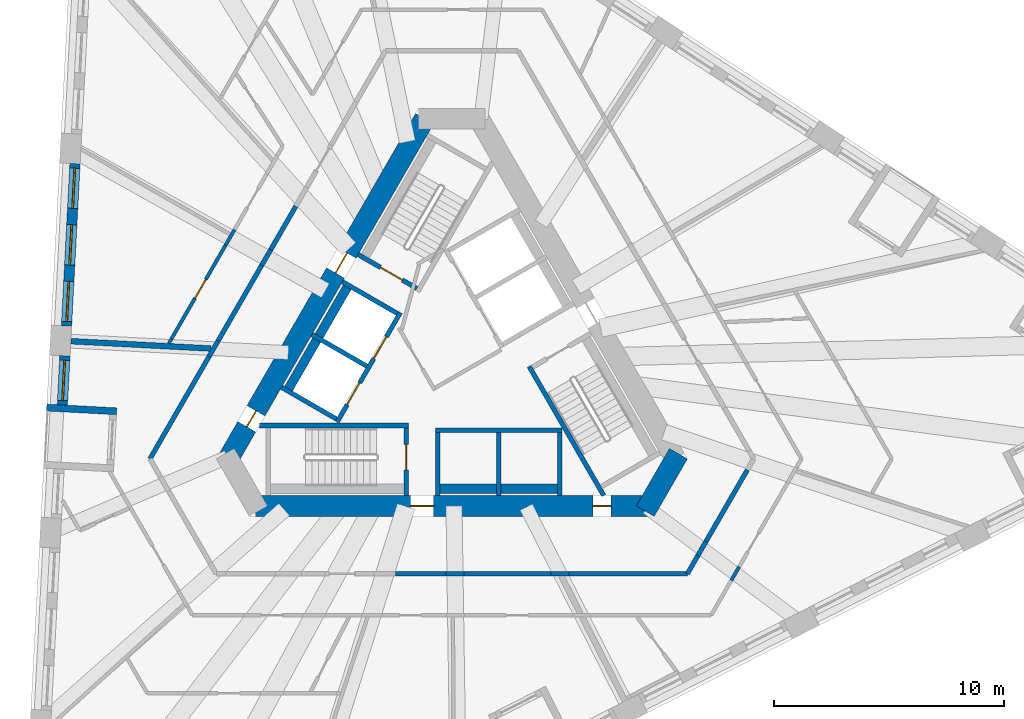
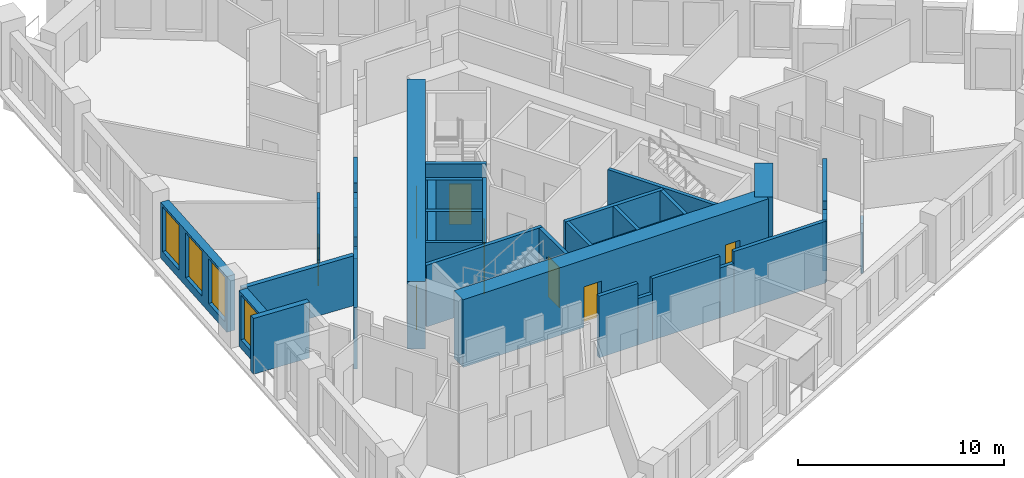
# One storey, part 4 of 12: 38 walls, 9 doors, 4 windows, 13 openings.
"""IFC4 building model written with IfcOpenShell, lengths in metres."""

from ifc_helpers import new_model, si_unit, direction, frame, frame_2d, origin, place, context, subcontext, project, spatial, rectangle, extrude, material, layer, layer_set, type_object, element, fill, save


model = new_model("IFC4")

# Units and contexts
model_context = context("Model", 3, precision=1e-05, world=origin(), true_north=direction((0.0, 1.0)))
body_context = subcontext(model_context, "Body", "Model", "MODEL_VIEW")
ifc_project = project(units=[si_unit("LENGTHUNIT", "METRE"), si_unit("AREAUNIT", "SQUARE_METRE"), si_unit("VOLUMEUNIT", "CUBIC_METRE"), si_unit("PLANEANGLEUNIT", "RADIAN"), si_unit("MASSUNIT", "GRAM", prefix="KILO")], contexts=[model_context])

# Site, building, storey
site_placement = place(None, origin())
site = spatial("IfcSite", under=ifc_project, at=site_placement, CompositionType="ELEMENT")
building_placement = place(site_placement, origin())
building = spatial("IfcBuilding", under=site, at=building_placement, Name="Tramontana Tower", CompositionType="ELEMENT")
storey_placement = place(building_placement, frame((0.0, 0.0, 129.60009765625)))
storey = spatial("IfcBuildingStorey", under=building, at=storey_placement, Name="L29", CompositionType="ELEMENT", Elevation=129.60009765625)

# Wall, openings, doors
ifc_material_1 = material(Name="Concrete 70 MPa", Category="concrete")
ifc_layer_1 = layer(ifc_material_1, 0.89990234375)
ifc_layer_set_1 = layer_set([ifc_layer_1], Name="Core wall 900 70 MPa")
wall_type_1 = type_object("IfcWallType", Name="Core wall 900 70 MPa", PredefinedType="SHEAR", material=ifc_layer_set_1)
wall_1_placement = place(storey_placement, frame((-1.18359375, 10.550048828125, 0.0), z_axis=(0.0, 0.0, 1.0), x_axis=(-0.500004814304, -0.866022624227, 0.0)))
wall_1 = element("IfcWall", 1, at=wall_1_placement, inside=storey, type_object=wall_type_1, Name="Core wall C1 L29", PredefinedType="SHEAR", context=body_context, shape_type="SweptSolid", body=[
    extrude(rectangle(XDim=17.089599609375, YDim=0.89990234375, at=frame_2d((8.544921875, 0.0))), origin(), (0.0, 0.0, 1.0), 4.0),
])
opening_1_placement = place(wall_1_placement, frame((6.749755859375, 0.0, 0.0)))
opening_1 = element("IfcOpeningElement", 2, at=opening_1_placement, cuts=wall_1, Name="Opening RG1", PredefinedType="OPENING", context=body_context, shape_type="SweptSolid", body=[
    extrude(rectangle(XDim=1.0, YDim=2.39990234375, at=frame_2d((0.5, 1.199951171875))), frame((0.0, 0.4599609375, 0.0), z_axis=(0.0, -1.0, 0.0), x_axis=(1.0, 0.0, 0.0)), (0.0, 0.0, 1.0), 0.919921875),
])
opening_2_placement = place(wall_1_placement, frame((14.678466796875, 0.0, 0.0)))
opening_2 = element("IfcOpeningElement", 3, at=opening_2_placement, cuts=wall_1, Name="Opening PD1", PredefinedType="OPENING", context=body_context, shape_type="SweptSolid", body=[
    extrude(rectangle(XDim=0.800048828125, YDim=2.10009765625, at=frame_2d((0.39990234375, 1.050048828125))), frame((0.0, 0.4599609375, 0.0), z_axis=(0.0, -1.0, 0.0), x_axis=(1.0, 0.0, 0.0)), (0.0, 0.0, 1.0), 0.919921875),
])
ifc_material_2 = material(Name="Painted steel", Category="steel")
door_type_1 = type_object("IfcDoorType", Name="CUPBOARD DOOR 800", OperationType="SINGLE_SWING_LEFT", PredefinedType="DOOR", material=ifc_material_2)
door_1_placement = place(opening_2_placement, origin())
door_1 = element("IfcDoor", 4, at=door_1_placement, inside=storey, type_object=door_type_1, Name="Door PD1", OperationType="SINGLE_SWING_LEFT", OverallHeight=2.10009765625, OverallWidth=0.800048828125, PredefinedType="DOOR", context=body_context, shape_type="SweptSolid", body=[
    extrude(rectangle(XDim=0.800048828125, YDim=2.10009765625, at=frame_2d((0.39990234375, 1.050048828125))), frame((0.0, 0.02490234375, 0.0), z_axis=(0.0, -1.0, 0.0), x_axis=(1.0, 0.0, 0.0)), (0.0, 0.0, 1.0), 0.050048828125),
])
fill(opening_2, door_1)
ifc_material_3 = material(Name="Painted steel", Category="steel")
door_type_2 = type_object("IfcDoorType", Name="RING DOOR 1000", OperationType="SINGLE_SWING_LEFT", PredefinedType="DOOR", material=ifc_material_3)
door_2_placement = place(opening_1_placement, origin())
door_2 = element("IfcDoor", 5, at=door_2_placement, inside=storey, type_object=door_type_2, Name="Door RG1", OperationType="SINGLE_SWING_RIGHT", OverallHeight=2.39990234375, OverallWidth=1.0, PredefinedType="DOOR", context=body_context, shape_type="SweptSolid", body=[
    extrude(rectangle(XDim=1.0, YDim=2.39990234375, at=frame_2d((0.5, 1.199951171875))), frame((0.0, 0.02490234375, 0.0), z_axis=(0.0, -1.0, 0.0), x_axis=(1.0, 0.0, 0.0)), (0.0, 0.0, 1.0), 0.050048828125),
])
fill(opening_1, door_2)

wall_2_placement = place(storey_placement, frame((-8.544921875, -6.300048828125, 0.0), z_axis=(0.0, 0.0, 1.0), x_axis=(1.0, 0.0, 0.0)))
wall_2 = element("IfcWall", 6, at=wall_2_placement, inside=storey, type_object=wall_type_1, Name="Core wall C3 L29", PredefinedType="SHEAR", context=body_context, shape_type="SweptSolid", body=[
    extrude(rectangle(XDim=17.08984375, YDim=0.89990234375, at=frame_2d((8.544921875, 0.0))), origin(), (0.0, 0.0, 1.0), 4.0),
])
opening_3_placement = place(wall_2_placement, frame((6.749755859375, 0.0, 0.0)))
opening_3 = element("IfcOpeningElement", 7, at=opening_3_placement, cuts=wall_2, Name="Opening RG2", PredefinedType="OPENING", context=body_context, shape_type="SweptSolid", body=[
    extrude(rectangle(XDim=1.0, YDim=2.39990234375, at=frame_2d((0.5, 1.199951171875))), frame((0.0, 0.4599609375, 0.0), z_axis=(0.0, -1.0, 0.0), x_axis=(1.0, 0.0, 0.0)), (0.0, 0.0, 1.0), 0.919921875),
])
opening_4_placement = place(wall_2_placement, frame((14.678466796875, 0.0, 0.0)))
opening_4 = element("IfcOpeningElement", 8, at=opening_4_placement, cuts=wall_2, Name="Opening PD2", PredefinedType="OPENING", context=body_context, shape_type="SweptSolid", body=[
    extrude(rectangle(XDim=0.800048828125, YDim=2.10009765625, at=frame_2d((0.39990234375, 1.050048828125))), frame((0.0, 0.4599609375, 0.0), z_axis=(0.0, -1.0, 0.0), x_axis=(1.0, 0.0, 0.0)), (0.0, 0.0, 1.0), 0.919921875),
])
door_3_placement = place(opening_4_placement, origin())
door_3 = element("IfcDoor", 9, at=door_3_placement, inside=storey, type_object=door_type_1, Name="Door PD2", OperationType="SINGLE_SWING_RIGHT", OverallHeight=2.10009765625, OverallWidth=0.800048828125, PredefinedType="DOOR", context=body_context, shape_type="SweptSolid", body=[
    extrude(rectangle(XDim=0.800048828125, YDim=2.10009765625, at=frame_2d((0.39990234375, 1.050048828125))), frame((0.0, 0.02490234375, 0.0), z_axis=(0.0, -1.0, 0.0), x_axis=(1.0, 0.0, 0.0)), (0.0, 0.0, 1.0), 0.050048828125),
])
fill(opening_4, door_3)
door_4_placement = place(opening_3_placement, origin())
door_4 = element("IfcDoor", 10, at=door_4_placement, inside=storey, type_object=door_type_2, Name="Door RG2", OperationType="SINGLE_SWING_LEFT", OverallHeight=2.39990234375, OverallWidth=1.0, PredefinedType="DOOR", context=body_context, shape_type="SweptSolid", body=[
    extrude(rectangle(XDim=1.0, YDim=2.39990234375, at=frame_2d((0.5, 1.199951171875))), frame((0.0, 0.02490234375, 0.0), z_axis=(0.0, -1.0, 0.0), x_axis=(1.0, 0.0, 0.0)), (0.0, 0.0, 1.0), 0.050048828125),
])
fill(opening_3, door_4)

# Walls
wall_3_placement = place(storey_placement, frame((8.414794921875, -6.52490234375, 0.0), z_axis=(0.0, 0.0, 1.0), x_axis=(0.500059191753, 0.865991226713, 0.0)))
element("IfcWall", 11, at=wall_3_placement, inside=storey, type_object=wall_type_1, Name="Core wall C4 L29", PredefinedType="SHEAR", context=body_context, shape_type="SweptSolid", body=[
    extrude(rectangle(XDim=2.886962890625, YDim=0.89990234375, at=frame_2d((1.443359375, 0.0))), origin(), (0.0, 0.0, 1.0), 4.0),
])
ifc_material_4 = material(Name="Blockwork", Category="masonry")
ifc_layer_2 = layer(ifc_material_4, 0.199951171875)
ifc_layer_set_2 = layer_set([ifc_layer_2], Name="ENTRY WALL 200")
wall_type_2 = type_object("IfcWallType", Name="ENTRY WALL 200", PredefinedType="SOLIDWALL", material=ifc_layer_set_2)
wall_4_placement = place(storey_placement, frame((12.858154296875, -4.729248046875, 0.0), z_axis=(0.0, 0.0, 1.0), x_axis=(-0.500031425827, -0.866007259314, 0.0)))
element("IfcWall", 12, at=wall_4_placement, inside=storey, type_object=wall_type_2, Name="Wall v30-ew1-1", PredefinedType="SOLIDWALL", context=body_context, shape_type="SweptSolid", body=[
    extrude(rectangle(XDim=3.602294921875, YDim=0.199951171875, at=frame_2d((1.80126953125, 0.0))), origin(), (0.0, 0.0, 1.0), 3.64990234375),
])
wall_5_placement = place(storey_placement, frame((11.056884765625, -7.848876953125, 0.0), z_axis=(0.0, 0.0, 1.0), x_axis=(-0.500012199891, -0.86601836006, 0.0)))
element("IfcWall", 13, at=wall_5_placement, inside=storey, type_object=wall_type_2, Name="Wall v30-ew1-2", PredefinedType="SOLIDWALL", context=body_context, shape_type="SweptSolid", body=[
    extrude(rectangle(XDim=0.705078125, YDim=0.199951171875, at=frame_2d((0.3525390625, 0.0))), origin(), (0.0, 0.0, 1.0), 2.949951171875),
])
wall_6_placement = place(storey_placement, frame((10.704345703125, -8.45947265625, 0.0), z_axis=(0.0, 0.0, 1.0), x_axis=(-0.499907684424, -0.866078695647, 0.0)))
element("IfcWall", 14, at=wall_6_placement, inside=storey, type_object=wall_type_2, Name="Wall v30-ew1-3", PredefinedType="SOLIDWALL", context=body_context, shape_type="SweptSolid", body=[
    extrude(rectangle(XDim=0.912841796875, YDim=0.199951171875, at=frame_2d((0.45654296875, 0.0))), origin(), (0.0, 0.0, 1.0), 3.64990234375),
])
wall_7_placement = place(storey_placement, frame((10.248046875, -9.25, 0.0), z_axis=(0.0, 0.0, 1.0), x_axis=(-1.0, 0.0, 0.0)))
element("IfcWall", 15, at=wall_7_placement, inside=storey, type_object=wall_type_2, Name="Wall v30-ew2-0", PredefinedType="SOLIDWALL", context=body_context, shape_type="SweptSolid", body=[
    extrude(rectangle(XDim=5.14208984375, YDim=0.199951171875, at=frame_2d((2.571044921875, 0.0))), origin(), (0.0, 0.0, 1.0), 3.64990234375),
])
wall_8_placement = place(storey_placement, frame((5.10595703125, -9.25, 0.0), z_axis=(0.0, 0.0, 1.0), x_axis=(-1.0, 0.0, 0.0)))
element("IfcWall", 16, at=wall_8_placement, inside=storey, type_object=wall_type_2, Name="Wall v30-ew2-1", PredefinedType="SOLIDWALL", context=body_context, shape_type="SweptSolid", body=[
    extrude(rectangle(XDim=0.78564453125, YDim=0.199951171875, at=frame_2d((0.392822265625, 0.0))), origin(), (0.0, 0.0, 1.0), 2.949951171875),
])
wall_9_placement = place(storey_placement, frame((4.3203125, -9.25, 0.0), z_axis=(0.0, 0.0, 1.0), x_axis=(-1.0, 0.0, 0.0)))
element("IfcWall", 17, at=wall_9_placement, inside=storey, type_object=wall_type_2, Name="Wall v30-ew2-2", PredefinedType="SOLIDWALL", context=body_context, shape_type="SweptSolid", body=[
    extrude(rectangle(XDim=3.783203125, YDim=0.199951171875, at=frame_2d((1.8916015625, 0.0))), origin(), (0.0, 0.0, 1.0), 3.64990234375),
])
wall_10_placement = place(storey_placement, frame((0.537109375, -9.25, 0.0), z_axis=(0.0, 0.0, 1.0), x_axis=(-1.0, 0.0, 0.0)))
element("IfcWall", 18, at=wall_10_placement, inside=storey, type_object=wall_type_2, Name="Wall v30-ew2-3", PredefinedType="SOLIDWALL", context=body_context, shape_type="SweptSolid", body=[
    extrude(rectangle(XDim=0.800048828125, YDim=0.199951171875, at=frame_2d((0.39990234375, 0.0))), origin(), (0.0, 0.0, 1.0), 2.75),
])
wall_11_placement = place(storey_placement, frame((-0.262939453125, -9.25, 0.0), z_axis=(0.0, 0.0, 1.0), x_axis=(-1.0, 0.0, 0.0)))
element("IfcWall", 19, at=wall_11_placement, inside=storey, type_object=wall_type_2, Name="Wall v30-ew2-4", PredefinedType="SOLIDWALL", context=body_context, shape_type="SweptSolid", body=[
    extrude(rectangle(XDim=2.17822265625, YDim=0.199951171875, at=frame_2d((1.089111328125, 0.0))), origin(), (0.0, 0.0, 1.0), 3.64990234375),
])
wall_12_placement = place(storey_placement, frame((-13.134765625, -4.25, 0.0), z_axis=(0.0, 0.0, 1.0), x_axis=(0.50000466804, 0.866022708674, 0.0)))
element("IfcWall", 20, at=wall_12_placement, inside=storey, type_object=wall_type_2, Name="Wall v30-ew4-0", PredefinedType="SOLIDWALL", context=body_context, shape_type="SweptSolid", body=[
    extrude(rectangle(XDim=5.14208984375, YDim=0.199951171875, at=frame_2d((2.571044921875, 0.0))), origin(), (0.0, 0.0, 1.0), 3.64990234375),
])
wall_13_placement = place(storey_placement, frame((-10.563720703125, 0.203125, 0.0), z_axis=(0.0, 0.0, 1.0), x_axis=(0.499982474044, 0.866035522163, 0.0)))
element("IfcWall", 21, at=wall_13_placement, inside=storey, type_object=wall_type_2, Name="Wall v30-ew4-1", PredefinedType="SOLIDWALL", context=body_context, shape_type="SweptSolid", body=[
    extrude(rectangle(XDim=0.78564453125, YDim=0.199951171875, at=frame_2d((0.392822265625, 0.0))), origin(), (0.0, 0.0, 1.0), 2.949951171875),
])
wall_14_placement = place(storey_placement, frame((-10.1708984375, 0.883544921875, 0.0), z_axis=(0.0, 0.0, 1.0), x_axis=(0.499998034377, 0.866026538634, 0.0)))
element("IfcWall", 22, at=wall_14_placement, inside=storey, type_object=wall_type_2, Name="Wall v30-ew4-2", PredefinedType="SOLIDWALL", context=body_context, shape_type="SweptSolid", body=[
    extrude(rectangle(XDim=3.783203125, YDim=0.199951171875, at=frame_2d((1.8916015625, 0.0))), origin(), (0.0, 0.0, 1.0), 3.64990234375),
])
wall_15_placement = place(storey_placement, frame((-8.279296875, 4.159912109375, 0.0), z_axis=(0.0, 0.0, 1.0), x_axis=(0.500109828528, 0.865961984968, 0.0)))
element("IfcWall", 23, at=wall_15_placement, inside=storey, type_object=wall_type_2, Name="Wall v30-ew4-3", PredefinedType="SOLIDWALL", context=body_context, shape_type="SweptSolid", body=[
    extrude(rectangle(XDim=0.800048828125, YDim=0.199951171875, at=frame_2d((0.39990234375, 0.0))), origin(), (0.0, 0.0, 1.0), 2.75),
])
wall_16_placement = place(storey_placement, frame((-7.879150390625, 4.852783203125, 0.0), z_axis=(0.0, 0.0, 1.0), x_axis=(0.499948868167, 0.866054922749, 0.0)))
element("IfcWall", 24, at=wall_16_placement, inside=storey, type_object=wall_type_2, Name="Wall v30-ew4-4", PredefinedType="SOLIDWALL", context=body_context, shape_type="SweptSolid", body=[
    extrude(rectangle(XDim=2.177978515625, YDim=0.199951171875, at=frame_2d((1.0888671875, 0.0))), origin(), (0.0, 0.0, 1.0), 3.64990234375),
])

# Wall, openings, windows
ifc_material_5 = material(Name="Precast concrete 60 MPa", Category="concrete")
ifc_layer_3 = layer(ifc_material_5, 0.449951171875)
ifc_layer_set_3 = layer_set([ifc_layer_3], Name="Precast concrete 60 MPa, 450 mm")
wall_type_3 = type_object("IfcWallType", Name="EW1 Stone-faced precast wall 450", PredefinedType="SOLIDWALL", material=ifc_layer_set_3)
wall_17_placement = place(storey_placement, frame((-16.397705078125, 8.591552734375, 0.0), z_axis=(0.0, 0.0, 1.0), x_axis=(-0.052337766399, -0.998629439887, 0.0)))
wall_17 = element("IfcWall", 25, at=wall_17_placement, inside=storey, type_object=wall_type_3, Name="External wall L29 face 0 bay 3", PredefinedType="SOLIDWALL", context=body_context, shape_type="SweptSolid", body=[
    extrude(rectangle(XDim=7.07177734375, YDim=0.449951171875, at=frame_2d((3.535888671875, 0.0))), origin(), (0.0, 0.0, 1.0), 3.2998046875),
])
opening_5_placement = place(wall_17_placement, frame((0.1953125, 0.0, 0.5)))
opening_5 = element("IfcOpeningElement", 26, at=opening_5_placement, cuts=wall_17, Name="Opening M2", PredefinedType="OPENING", context=body_context, shape_type="SweptSolid", body=[
    extrude(rectangle(XDim=1.75, YDim=2.64990234375, at=frame_2d((0.875, 1.324951171875))), frame((0.0, 0.23486328125, 0.0), z_axis=(0.0, -1.0, 0.0), x_axis=(1.0, 0.0, 0.0)), (0.0, 0.0, 1.0), 0.469970703125),
])
opening_6_placement = place(wall_17_placement, frame((2.660888671875, 0.0, 0.5)))
opening_6 = element("IfcOpeningElement", 27, at=opening_6_placement, cuts=wall_17, Name="Opening M2", PredefinedType="OPENING", context=body_context, shape_type="SweptSolid", body=[
    extrude(rectangle(XDim=1.75, YDim=2.64990234375, at=frame_2d((0.875, 1.324951171875))), frame((0.0, 0.23486328125, 0.0), z_axis=(0.0, -1.0, 0.0), x_axis=(1.0, 0.0, 0.0)), (0.0, 0.0, 1.0), 0.469970703125),
])
opening_7_placement = place(wall_17_placement, frame((5.126220703125, 0.0, 0.5)))
opening_7 = element("IfcOpeningElement", 28, at=opening_7_placement, cuts=wall_17, Name="Opening M2", PredefinedType="OPENING", context=body_context, shape_type="SweptSolid", body=[
    extrude(rectangle(XDim=1.75, YDim=2.64990234375, at=frame_2d((0.875, 1.324951171875))), frame((0.0, 0.23486328125, 0.0), z_axis=(0.0, -1.0, 0.0), x_axis=(1.0, 0.0, 0.0)), (0.0, 0.0, 1.0), 0.469970703125),
])
ifc_material_6 = material(Name="Aluminum frame, double glazing unit", Category="aluminium")
window_type = type_object("IfcWindowType", Name="M2 Window 1.75 x 2.65", PartitioningType="SINGLE_PANEL", PredefinedType="WINDOW", material=ifc_material_6)
window_1_placement = place(opening_5_placement, origin())
window_1 = element("IfcWindow", 29, at=window_1_placement, inside=storey, type_object=window_type, Name="Window M2 L29 face 0 module 7", OverallHeight=2.64990234375, OverallWidth=1.75, PartitioningType="SINGLE_PANEL", PredefinedType="WINDOW", context=body_context, shape_type="SweptSolid", body=[
    extrude(rectangle(XDim=1.75, YDim=2.64990234375, at=frame_2d((0.875, 1.324951171875))), frame((0.0, 0.030029296875, 0.0), z_axis=(0.0, -1.0, 0.0), x_axis=(1.0, 0.0, 0.0)), (0.0, 0.0, 1.0), 0.06005859375),
])
fill(opening_5, window_1)
window_2_placement = place(opening_6_placement, origin())
window_2 = element("IfcWindow", 30, at=window_2_placement, inside=storey, type_object=window_type, Name="Window M2 L29 face 0 module 8", OverallHeight=2.64990234375, OverallWidth=1.75, PartitioningType="SINGLE_PANEL", PredefinedType="WINDOW", context=body_context, shape_type="SweptSolid", body=[
    extrude(rectangle(XDim=1.75, YDim=2.64990234375, at=frame_2d((0.875, 1.324951171875))), frame((0.0, 0.030029296875, 0.0), z_axis=(0.0, -1.0, 0.0), x_axis=(1.0, 0.0, 0.0)), (0.0, 0.0, 1.0), 0.06005859375),
])
fill(opening_6, window_2)
window_3_placement = place(opening_7_placement, origin())
window_3 = element("IfcWindow", 31, at=window_3_placement, inside=storey, type_object=window_type, Name="Window M2 L29 face 0 module 9", OverallHeight=2.64990234375, OverallWidth=1.75, PartitioningType="SINGLE_PANEL", PredefinedType="WINDOW", context=body_context, shape_type="SweptSolid", body=[
    extrude(rectangle(XDim=1.75, YDim=2.64990234375, at=frame_2d((0.875, 1.324951171875))), frame((0.0, 0.030029296875, 0.0), z_axis=(0.0, -1.0, 0.0), x_axis=(1.0, 0.0, 0.0)), (0.0, 0.0, 1.0), 0.06005859375),
])
fill(opening_7, window_3)

# Wall, opening, window
wall_18_placement = place(storey_placement, frame((-16.8359375, 0.2314453125, 0.0), z_axis=(0.0, 0.0, 1.0), x_axis=(-0.05234931875, -0.998628834366, 0.0)))
wall_18 = element("IfcWall", 32, at=wall_18_placement, inside=storey, type_object=wall_type_3, Name="External wall L29 face 0 bay 4", PredefinedType="SOLIDWALL", context=body_context, shape_type="SweptSolid", body=[
    extrude(rectangle(XDim=2.140625, YDim=0.449951171875, at=frame_2d((1.0703125, 0.0))), origin(), (0.0, 0.0, 1.0), 3.2998046875),
])
opening_8_placement = place(wall_18_placement, frame((0.1953125, 0.0, 0.5)))
opening_8 = element("IfcOpeningElement", 33, at=opening_8_placement, cuts=wall_18, Name="Opening M2", PredefinedType="OPENING", context=body_context, shape_type="SweptSolid", body=[
    extrude(rectangle(XDim=1.75, YDim=2.64990234375, at=frame_2d((0.875, 1.324951171875))), frame((0.0, 0.23486328125, 0.0), z_axis=(0.0, -1.0, 0.0), x_axis=(1.0, 0.0, 0.0)), (0.0, 0.0, 1.0), 0.469970703125),
])
window_4_placement = place(opening_8_placement, origin())
window_4 = element("IfcWindow", 34, at=window_4_placement, inside=storey, type_object=window_type, Name="Window M2 L29 face 0 module 10", OverallHeight=2.64990234375, OverallWidth=1.75, PartitioningType="SINGLE_PANEL", PredefinedType="WINDOW", context=body_context, shape_type="SweptSolid", body=[
    extrude(rectangle(XDim=1.75, YDim=2.64990234375, at=frame_2d((0.875, 1.324951171875))), frame((0.0, 0.030029296875, 0.0), z_axis=(0.0, -1.0, 0.0), x_axis=(1.0, 0.0, 0.0)), (0.0, 0.0, 1.0), 0.06005859375),
])
fill(opening_8, window_4)

# Walls
ifc_material_7 = material(Name="Precast concrete 60 MPa", Category="concrete")
ifc_layer_4 = layer(ifc_material_7, 0.300048828125)
ifc_layer_set_4 = layer_set([ifc_layer_4], Name="LW1 Stone-faced loggia wall 300")
wall_type_4 = type_object("IfcWallType", Name="LW1 Stone-faced loggia wall 300", PredefinedType="SOLIDWALL", material=ifc_layer_set_4)
wall_19_placement = place(storey_placement, frame((-17.6298828125, -2.0205078125, 0.0), z_axis=(0.0, 0.0, 1.0), x_axis=(0.99862886304, -0.052348771756, 0.0)))
element("IfcWall", 35, at=wall_19_placement, inside=storey, type_object=wall_type_4, Name="Loggia return L29 G3S0.10a", PredefinedType="SOLIDWALL", context=body_context, shape_type="SweptSolid", body=[
    extrude(rectangle(XDim=3.050048828125, YDim=0.300048828125, at=frame_2d((1.52490234375, 0.0))), origin(), (0.0, 0.0, 1.0), 3.2998046875),
])
ifc_material_8 = material(Name="Gypsum board partition")
ifc_layer_5 = layer(ifc_material_8, 0.14990234375)
ifc_layer_set_5 = layer_set([ifc_layer_5], Name="PARTITION 150")
wall_type_5 = type_object("IfcWallType", Name="PARTITION 150", PredefinedType="PARTITIONING", material=ifc_layer_set_5)
wall_20_placement = place(storey_placement, frame((-12.314453125, 0.7705078125, 0.0), z_axis=(0.0, 0.0, 1.0), x_axis=(0.4996633593, 0.866219676164, 0.0)))
element("IfcWall", 36, at=wall_20_placement, inside=storey, type_object=wall_type_5, Name="Wall v30-pw04-0", PredefinedType="PARTITIONING", context=body_context, shape_type="SweptSolid", body=[
    extrude(rectangle(XDim=0.238525390625, YDim=0.14990234375, at=frame_2d((0.119140625, 0.0))), origin(), (0.0, 0.0, 1.0), 2.949951171875),
])

# Wall, opening, door
wall_21_placement = place(storey_placement, frame((-12.1953125, 0.97705078125, 0.0), z_axis=(0.0, 0.0, 1.0), x_axis=(0.499993726502, 0.86602902576, 0.0)))
wall_21 = element("IfcWall", 37, at=wall_21_placement, inside=storey, type_object=wall_type_5, Name="Wall v30-pw04-1", PredefinedType="PARTITIONING", context=body_context, shape_type="SweptSolid", body=[
    extrude(rectangle(XDim=4.7001953125, YDim=0.14990234375, at=frame_2d((2.35009765625, 0.0))), origin(), (0.0, 0.0, 1.0), 3.64990234375),
])
opening_9_placement = place(wall_21_placement, frame((2.030029296875, 0.0, 0.0)))
opening_9 = element("IfcOpeningElement", 38, at=opening_9_placement, cuts=wall_21, Name="Opening B3A-06", PredefinedType="OPENING", context=body_context, shape_type="SweptSolid", body=[
    extrude(rectangle(XDim=0.949951171875, YDim=2.39990234375, at=frame_2d((0.47509765625, 1.199951171875))), frame((0.0, 0.0849609375, 0.0), z_axis=(0.0, -1.0, 0.0), x_axis=(1.0, 0.0, 0.0)), (0.0, 0.0, 1.0), 0.169921875),
])
ifc_material_9 = material(Name="Painted timber", Category="wood")
door_type_3 = type_object("IfcDoorType", Name="DOOR ROOM 950", OperationType="SINGLE_SWING_LEFT", PredefinedType="DOOR", material=ifc_material_9)
door_5_placement = place(opening_9_placement, origin())
door_5 = element("IfcDoor", 39, at=door_5_placement, inside=storey, type_object=door_type_3, Name="Door B3A-06", OperationType="SINGLE_SWING_RIGHT", OverallHeight=2.39990234375, OverallWidth=0.949951171875, PredefinedType="DOOR", context=body_context, shape_type="SweptSolid", body=[
    extrude(rectangle(XDim=0.949951171875, YDim=2.39990234375, at=frame_2d((0.47509765625, 1.199951171875))), frame((0.0, 0.02490234375, 0.0), z_axis=(0.0, -1.0, 0.0), x_axis=(1.0, 0.0, 0.0)), (0.0, 0.0, 1.0), 0.050048828125),
])
fill(opening_9, door_5)

# Walls
wall_22_placement = place(storey_placement, frame((-9.84521484375, 5.047607421875, 0.0), z_axis=(0.0, 0.0, 1.0), x_axis=(0.499967891604, 0.866043940782, 0.0)))
element("IfcWall", 40, at=wall_22_placement, inside=storey, type_object=wall_type_5, Name="Wall v30-pw04-2", PredefinedType="PARTITIONING", context=body_context, shape_type="SweptSolid", body=[
    extrude(rectangle(XDim=0.77490234375, YDim=0.14990234375, at=frame_2d((0.387451171875, 0.0))), origin(), (0.0, 0.0, 1.0), 2.75),
])
wall_23_placement = place(storey_placement, frame((12.501220703125, -8.947021484375, 0.0), z_axis=(0.0, 0.0, 1.0), x_axis=(-0.499846793097, -0.866113839764, 0.0)))
element("IfcWall", 41, at=wall_23_placement, inside=storey, type_object=wall_type_5, Name="Wall v30-pw32-3", PredefinedType="PARTITIONING", context=body_context, shape_type="SweptSolid", body=[
    extrude(rectangle(XDim=0.679931640625, YDim=0.14990234375, at=frame_2d((0.33984375, 0.0))), origin(), (0.0, 0.0, 1.0), 2.949951171875),
])
ifc_material_10 = material(Name="Blockwork", Category="masonry")
ifc_layer_6 = layer(ifc_material_10, 0.25)
ifc_layer_set_6 = layer_set([ifc_layer_6], Name="PARTY WALL 250")
wall_type_6 = type_object("IfcWallType", Name="PARTY WALL 250", PredefinedType="SOLIDWALL", material=ifc_layer_set_6)
wall_24_placement = place(storey_placement, frame((-10.479248046875, 0.54931640625, 0.0), z_axis=(0.0, 0.0, 1.0), x_axis=(-0.998629511984, 0.052336390727, 0.0)))
element("IfcWall", 42, at=wall_24_placement, inside=storey, type_object=wall_type_6, Name="Wall v30-pw06-0", PredefinedType="SOLIDWALL", context=body_context, shape_type="SweptSolid", body=[
    extrude(rectangle(XDim=6.106201171875, YDim=0.25, at=frame_2d((3.05322265625, 0.0))), origin(), (0.0, 0.0, 1.0), 2.949951171875),
])
ifc_material_11 = material(Name="Concrete 70 MPa", Category="concrete")
ifc_layer_7 = layer(ifc_material_11, 0.39990234375)
ifc_layer_set_7 = layer_set([ifc_layer_7], Name="Concrete 70 MPa, 400 mm")
wall_type_7 = type_object("IfcWallType", Name="RC SHAFT BACK WALL 400", PredefinedType="SOLIDWALL", material=ifc_layer_set_7)
for number, where, z_axis, x_axis, name in (
    (43, (-4.451416015625, 3.389892578125, 0.0), (0.0, 0.0, 1.0), (-0.499996545922, -0.866027397988, 0.0), "Wall row0-back"),
    (44, (-0.7099609375, -5.550048828125, 0.0), (0.0, 0.0, 1.0), (1.0, 0.0, 0.0), "Wall row1-back"),
):
    element("IfcWall", number, at=place(storey_placement, frame(where, z_axis=z_axis, x_axis=x_axis)), inside=storey, type_object=wall_type_7, Name=name, PredefinedType="SOLIDWALL", context=body_context, shape_type="SweptSolid", body=[
        extrude(rectangle(XDim=5.5, YDim=0.39990234375, at=frame_2d((2.75, 0.0))), origin(), (0.0, 0.0, 1.0), 3.64990234375),
    ])

# Wall, opening, door
ifc_material_12 = material(Name="Concrete 70 MPa", Category="concrete")
ifc_layer_8 = layer(ifc_material_12, 0.199951171875)
ifc_layer_set_8 = layer_set([ifc_layer_8], Name="Concrete 70 MPa, 200 mm")
wall_type_8 = type_object("IfcWallType", Name="RC STAIR AND SHAFT WALL 200", PredefinedType="SOLIDWALL", material=ifc_layer_set_8)
wall_25_placement = place(storey_placement, frame((-1.521484375, 3.164794921875, 0.0), z_axis=(0.0, 0.0, 1.0), x_axis=(-0.866039495442, 0.49997559174, 0.0)))
wall_25 = element("IfcWall", 45, at=wall_25_placement, inside=storey, type_object=wall_type_8, Name="Wall st1-near", PredefinedType="SOLIDWALL", context=body_context, shape_type="SweptSolid", body=[
    extrude(rectangle(XDim=2.949951171875, YDim=0.199951171875, at=frame_2d((1.47509765625, 0.0))), origin(), (0.0, 0.0, 1.0), 3.64990234375),
])
opening_10_placement = place(wall_25_placement, frame((0.72509765625, 0.0, 0.0)))
opening_10 = element("IfcOpeningElement", 46, at=opening_10_placement, cuts=wall_25, Name="Opening SD1", PredefinedType="OPENING", context=body_context, shape_type="SweptSolid", body=[
    extrude(rectangle(XDim=1.10009765625, YDim=2.39990234375, at=frame_2d((0.550048828125, 1.199951171875))), frame((0.0, 0.10986328125, 0.0), z_axis=(0.0, -1.0, 0.0), x_axis=(1.0, 0.0, 0.0)), (0.0, 0.0, 1.0), 0.219970703125),
])
ifc_material_13 = material(Name="Painted steel", Category="steel")
door_type_4 = type_object("IfcDoorType", Name="STAIR DOOR 1100", OperationType="SINGLE_SWING_LEFT", PredefinedType="DOOR", material=ifc_material_13)
door_6_placement = place(opening_10_placement, origin())
door_6 = element("IfcDoor", 47, at=door_6_placement, inside=storey, type_object=door_type_4, Name="Door SD1", OperationType="SINGLE_SWING_RIGHT", OverallHeight=2.39990234375, OverallWidth=1.10009765625, PredefinedType="DOOR", context=body_context, shape_type="SweptSolid", body=[
    extrude(rectangle(XDim=1.10009765625, YDim=2.39990234375, at=frame_2d((0.550048828125, 1.199951171875))), frame((0.0, 0.02490234375, 0.0), z_axis=(0.0, -1.0, 0.0), x_axis=(1.0, 0.0, 0.0)), (0.0, 0.0, 1.0), 0.050048828125),
])
fill(opening_10, door_6)

# Wall
wall_26_placement = place(storey_placement, frame((-8.37158203125, -2.800048828125, 0.0), z_axis=(0.0, 0.0, 1.0), x_axis=(1.0, 0.0, 0.0)))
element("IfcWall", 48, at=wall_26_placement, inside=storey, type_object=wall_type_8, Name="Wall st2-front", PredefinedType="SOLIDWALL", context=body_context, shape_type="SweptSolid", body=[
    extrude(rectangle(XDim=6.49169921875, YDim=0.199951171875, at=frame_2d((3.245849609375, 0.0))), origin(), (0.0, 0.0, 1.0), 3.64990234375),
])

# Wall, opening, door
wall_27_placement = place(storey_placement, frame((-1.97998046875, -2.89990234375, 0.0), z_axis=(0.0, 0.0, 1.0), x_axis=(0.0, -1.0, 0.0)))
wall_27 = element("IfcWall", 49, at=wall_27_placement, inside=storey, type_object=wall_type_8, Name="Wall st2-near", PredefinedType="SOLIDWALL", context=body_context, shape_type="SweptSolid", body=[
    extrude(rectangle(XDim=2.9501953125, YDim=0.199951171875, at=frame_2d((1.47509765625, 0.0))), origin(), (0.0, 0.0, 1.0), 3.64990234375),
])
opening_11_placement = place(wall_27_placement, frame((0.72509765625, 0.0, 0.0)))
opening_11 = element("IfcOpeningElement", 50, at=opening_11_placement, cuts=wall_27, Name="Opening SD2", PredefinedType="OPENING", context=body_context, shape_type="SweptSolid", body=[
    extrude(rectangle(XDim=1.10009765625, YDim=2.39990234375, at=frame_2d((0.550048828125, 1.199951171875))), frame((0.0, 0.10986328125, 0.0), z_axis=(0.0, -1.0, 0.0), x_axis=(1.0, 0.0, 0.0)), (0.0, 0.0, 1.0), 0.219970703125),
])
door_7_placement = place(opening_11_placement, origin())
door_7 = element("IfcDoor", 51, at=door_7_placement, inside=storey, type_object=door_type_4, Name="Door SD2", OperationType="SINGLE_SWING_LEFT", OverallHeight=2.39990234375, OverallWidth=1.10009765625, PredefinedType="DOOR", context=body_context, shape_type="SweptSolid", body=[
    extrude(rectangle(XDim=1.10009765625, YDim=2.39990234375, at=frame_2d((0.550048828125, 1.199951171875))), frame((0.0, 0.02490234375, 0.0), z_axis=(0.0, -1.0, 0.0), x_axis=(1.0, 0.0, 0.0)), (0.0, 0.0, 1.0), 0.050048828125),
])
fill(opening_11, door_7)

# Wall
wall_28_placement = place(storey_placement, frame((6.610595703125, -5.85009765625, 0.0), z_axis=(0.0, 0.0, 1.0), x_axis=(-0.499965531574, 0.866045303225, 0.0)))
element("IfcWall", 52, at=wall_28_placement, inside=storey, type_object=wall_type_8, Name="Wall st3-front", PredefinedType="SOLIDWALL", context=body_context, shape_type="SweptSolid", body=[
    extrude(rectangle(XDim=6.49169921875, YDim=0.199951171875, at=frame_2d((3.245849609375, 0.0))), origin(), (0.0, 0.0, 1.0), 3.64990234375),
])

# Wall, openings, doors
wall_29_placement = place(storey_placement, frame((-2.2431640625, 2.114990234375, 0.0), z_axis=(0.0, 0.0, 1.0), x_axis=(-0.499996545922, -0.866027397988, 0.0)))
wall_29 = element("IfcWall", 53, at=wall_29_placement, inside=storey, type_object=wall_type_8, Name="Wall row0-front", PredefinedType="SOLIDWALL", context=body_context, shape_type="SweptSolid", body=[
    extrude(rectangle(XDim=5.5, YDim=0.199951171875, at=frame_2d((2.75, 0.0))), origin(), (0.0, 0.0, 1.0), 3.64990234375),
])
opening_12_placement = place(wall_29_placement, frame((1.219970703125, 0.0, 0.0)))
opening_12 = element("IfcOpeningElement", 54, at=opening_12_placement, cuts=wall_29, Name="Opening LD-P1", PredefinedType="OPENING", context=body_context, shape_type="SweptSolid", body=[
    extrude(rectangle(XDim=1.10009765625, YDim=2.10009765625, at=frame_2d((0.550048828125, 1.050048828125))), frame((0.0, 0.10986328125, 0.0), z_axis=(0.0, -1.0, 0.0), x_axis=(1.0, 0.0, 0.0)), (0.0, 0.0, 1.0), 0.219970703125),
])
opening_13_placement = place(wall_29_placement, frame((3.52490234375, 0.0, 0.0)))
opening_13 = element("IfcOpeningElement", 55, at=opening_13_placement, cuts=wall_29, Name="Opening LD-P2", PredefinedType="OPENING", context=body_context, shape_type="SweptSolid", body=[
    extrude(rectangle(XDim=1.10009765625, YDim=2.10009765625, at=frame_2d((0.550048828125, 1.050048828125))), frame((0.0, 0.10986328125, 0.0), z_axis=(0.0, -1.0, 0.0), x_axis=(1.0, 0.0, 0.0)), (0.0, 0.0, 1.0), 0.219970703125),
])
ifc_material_14 = material(Name="Brushed steel", Category="steel")
door_type_5 = type_object("IfcDoorType", Name="LANDING DOOR 1100", OperationType="SINGLE_SWING_LEFT", PredefinedType="DOOR", material=ifc_material_14)
door_8_placement = place(opening_12_placement, origin())
door_8 = element("IfcDoor", 56, at=door_8_placement, inside=storey, type_object=door_type_5, Name="Door LD-P1", OperationType="SLIDING_TO_LEFT", OverallHeight=2.10009765625, OverallWidth=1.10009765625, PredefinedType="DOOR", context=body_context, shape_type="SweptSolid", body=[
    extrude(rectangle(XDim=1.10009765625, YDim=2.10009765625, at=frame_2d((0.550048828125, 1.050048828125))), frame((0.0, 0.02490234375, 0.0), z_axis=(0.0, -1.0, 0.0), x_axis=(1.0, 0.0, 0.0)), (0.0, 0.0, 1.0), 0.050048828125),
])
fill(opening_12, door_8)
door_9_placement = place(opening_13_placement, origin())
door_9 = element("IfcDoor", 57, at=door_9_placement, inside=storey, type_object=door_type_5, Name="Door LD-P2", OperationType="SLIDING_TO_RIGHT", OverallHeight=2.10009765625, OverallWidth=1.10009765625, PredefinedType="DOOR", context=body_context, shape_type="SweptSolid", body=[
    extrude(rectangle(XDim=1.10009765625, YDim=2.10009765625, at=frame_2d((0.550048828125, 1.050048828125))), frame((0.0, 0.02490234375, 0.0), z_axis=(0.0, -1.0, 0.0), x_axis=(1.0, 0.0, 0.0)), (0.0, 0.0, 1.0), 0.050048828125),
])
fill(opening_13, door_9)

# Walls
for number, where, z_axis, x_axis, name in (
    (58, (-2.379638671875, 2.078369140625, 0.0), (0.0, 0.0, 1.0), (-0.866027397988, 0.499996545922, 0.0), "Wall row0-side0"),
    (59, (-3.70458984375, -0.216796875, 0.0), (0.0, 0.0, 1.0), (-0.866027397988, 0.499996545922, 0.0), "Wall row0-side1"),
):
    element("IfcWall", number, at=place(storey_placement, frame(where, z_axis=z_axis, x_axis=x_axis)), inside=storey, type_object=wall_type_8, Name=name, PredefinedType="SOLIDWALL", context=body_context, shape_type="SweptSolid", body=[
        extrude(rectangle(XDim=2.75, YDim=0.199951171875, at=frame_2d((1.375, 0.0))), origin(), (0.0, 0.0, 1.0), 3.64990234375),
    ])
wall_30_placement = place(storey_placement, frame((-5.02978515625, -2.51171875, 0.0), z_axis=(0.0, 0.0, 1.0), x_axis=(-0.866005201286, 0.500034990121, 0.0)))
element("IfcWall", 60, at=wall_30_placement, inside=storey, type_object=wall_type_8, Name="Wall row0-side2", PredefinedType="SOLIDWALL", context=body_context, shape_type="SweptSolid", body=[
    extrude(rectangle(XDim=2.749755859375, YDim=0.199951171875, at=frame_2d((1.375, 0.0))), origin(), (0.0, 0.0, 1.0), 3.64990234375),
])
wall_31_placement = place(storey_placement, frame((-0.7099609375, -3.0, 0.0), z_axis=(0.0, 0.0, 1.0), x_axis=(1.0, 0.0, 0.0)))
element("IfcWall", 61, at=wall_31_placement, inside=storey, type_object=wall_type_8, Name="Wall row1-front", PredefinedType="SOLIDWALL", context=body_context, shape_type="SweptSolid", body=[
    extrude(rectangle(XDim=5.5, YDim=0.199951171875, at=frame_2d((2.75, 0.0))), origin(), (0.0, 0.0, 1.0), 3.64990234375),
])
for number, where, z_axis, x_axis, name in (
    (62, (-0.610107421875, -3.10009765625, 0.0), (0.0, 0.0, 1.0), (0.0, -1.0, 0.0), "Wall row1-side0"),
    (63, (2.0400390625, -3.10009765625, 0.0), (0.0, 0.0, 1.0), (0.0, -1.0, 0.0), "Wall row1-side1"),
    (64, (4.68994140625, -3.10009765625, 0.0), (0.0, 0.0, 1.0), (0.0, -1.0, 0.0), "Wall row1-side2"),
):
    element("IfcWall", number, at=place(storey_placement, frame(where, z_axis=z_axis, x_axis=x_axis)), inside=storey, type_object=wall_type_8, Name=name, PredefinedType="SOLIDWALL", context=body_context, shape_type="SweptSolid", body=[
        extrude(rectangle(XDim=2.75, YDim=0.199951171875, at=frame_2d((1.375, 0.0))), origin(), (0.0, 0.0, 1.0), 3.64990234375),
    ])

save(model, "model.ifc")
